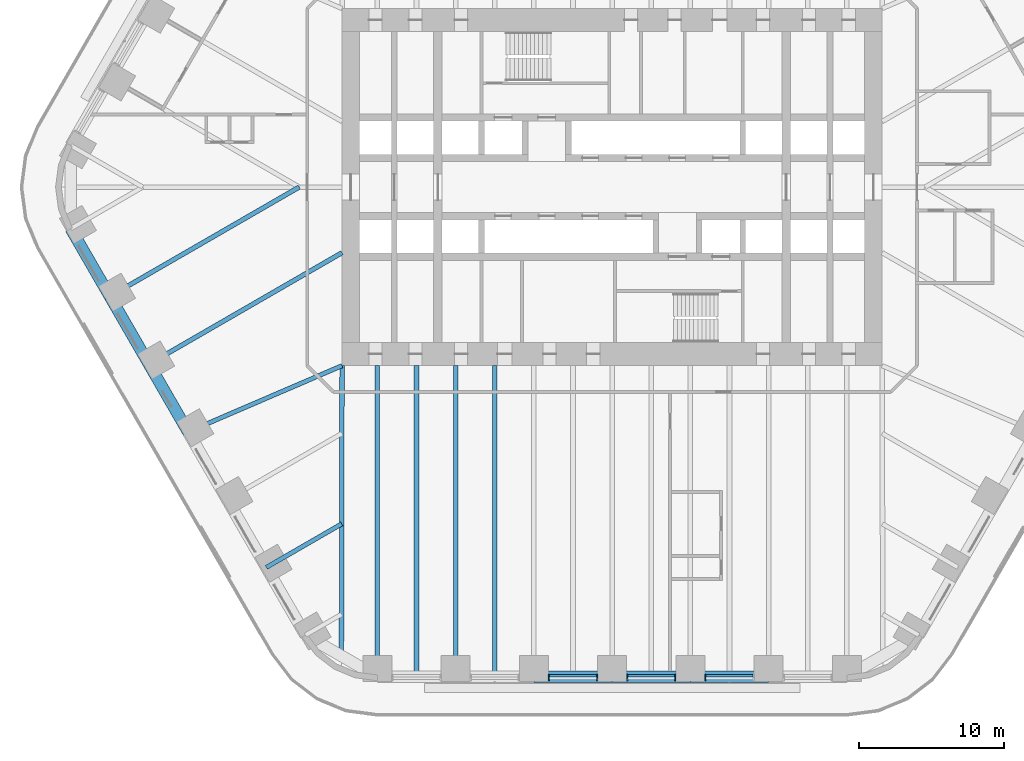
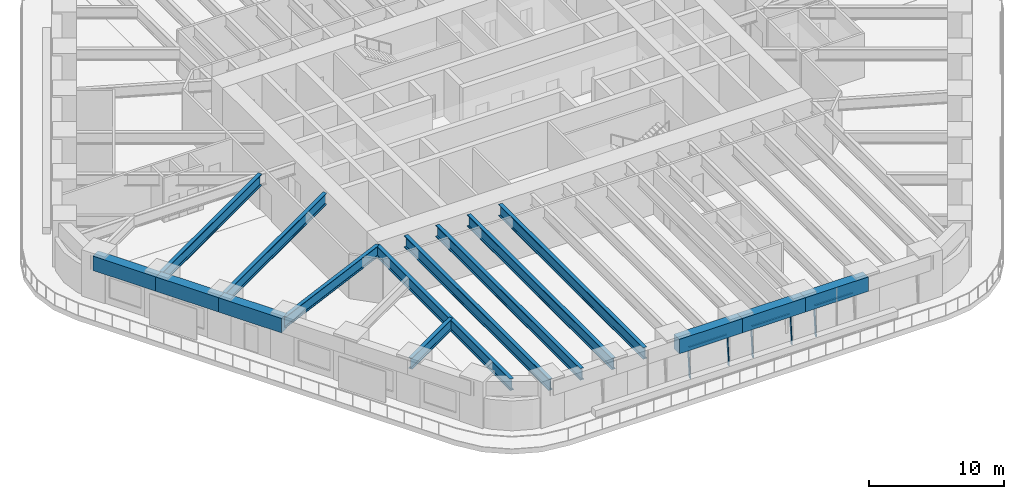
# One storey, part 3 of 23: 15 beams, 8 members, 3 elements without a shape of their own.
"""IFC4 building model written with IfcOpenShell, lengths in metres."""

import ifcopenshell
import ifcopenshell.guid

model = None  # the IFC model being written
_history = None  # IfcOwnerHistory: only IFC2X3 demands one
_inside = {}  # id of a spatial element -> (the spatial element, [elements in it])
_under = {}  # id of a project, library or spatial element -> (it, [spatial elements below it])
_declared = {}  # id of a project -> (the project, [libraries it declares])
_typed = {}  # id of a type object -> (the type object, [elements of that type])
_made_of = {}  # id of a material, layer set ... -> (it, [elements and type objects made of it])


def new_model(schema):
    """Start an empty IFC model of exactly this schema.

    Asked for "IFC4X3", IfcOpenShell would pick the latest addendum, in which some entities
    have other attributes; the version numbers below select the first issue.
    IFC2X3 requires an IfcOwnerHistory on every rooted entity: one is made here for all.
    """
    global model, _history
    if schema == "IFC4X3":
        model = ifcopenshell.file(schema_version=(4, 3, 0, 0))
    else:
        model = ifcopenshell.file(schema=schema)
    _inside.clear()
    _under.clear()
    _declared.clear()
    _typed.clear()
    _made_of.clear()
    _history = None
    if model.schema == "IFC2X3":
        org = make("IfcOrganization", Name="unknown")
        user = make(
            "IfcPersonAndOrganization",
            ThePerson=make("IfcPerson", FamilyName="unknown"),
            TheOrganization=org,
        )
        app = make(
            "IfcApplication",
            ApplicationDeveloper=org,
            Version="unknown",
            ApplicationFullName="unknown",
            ApplicationIdentifier="unknown",
        )
        _history = make(
            "IfcOwnerHistory",
            OwningUser=user,
            OwningApplication=app,
            ChangeAction="ADDED",
            CreationDate=0,
        )
    return model


def make(cls, **values):
    """One entity of the class cls with the attributes given. An attribute that is None is left unset."""
    return model.create_entity(
        cls, **{name: value for name, value in values.items() if value is not None}
    )


def rooted(cls, **values):
    """An entity with a GlobalId (a new one), such as an element, a storey or a relation."""
    return make(cls, GlobalId=ifcopenshell.guid.new(), OwnerHistory=_history, **values)


def si_unit(unit_type, name, prefix=None):
    """IfcSIUnit, for example si_unit("LENGTHUNIT", "METRE", prefix="MILLI")."""
    return make("IfcSIUnit", UnitType=unit_type, Prefix=prefix, Name=name)


def assignment(units):
    """IfcUnitAssignment: the units of a project."""
    return None if units is None else make("IfcUnitAssignment", Units=units)


def point(xyz):
    """IfcCartesianPoint."""
    return None if xyz is None else make("IfcCartesianPoint", Coordinates=xyz)


def direction(xyz):
    """IfcDirection."""
    return None if xyz is None else make("IfcDirection", DirectionRatios=xyz)


def frame(location, z_axis=None, x_axis=None):
    """IfcAxis2Placement3D, a coordinate frame: its origin and axes. An axis left out is left unset."""
    return make(
        "IfcAxis2Placement3D",
        Location=point(location),
        Axis=direction(z_axis),
        RefDirection=direction(x_axis),
    )


def frame_2d(location, x_axis=None):
    """IfcAxis2Placement2D, a coordinate frame in the plane: its origin and x axis."""
    return make(
        "IfcAxis2Placement2D", Location=point(location), RefDirection=direction(x_axis)
    )


def origin():
    """The frame at (0, 0, 0) with its axes left unset."""
    return frame((0.0, 0.0, 0.0))


def origin_2d():
    """The frame at (0, 0) in the plane with its x axis left unset."""
    return frame_2d((0.0, 0.0))


def place(relative_to, where):
    """IfcLocalPlacement: puts the frame where relative to a parent placement (None: the world)."""
    return make(
        "IfcLocalPlacement", PlacementRelTo=relative_to, RelativePlacement=where
    )


def context(
    kind, dimensions, precision=None, world=None, true_north=None, identifier=None
):
    """IfcGeometricRepresentationContext, for example the 3D "Model" context."""
    return make(
        "IfcGeometricRepresentationContext",
        ContextIdentifier=identifier,
        ContextType=kind,
        CoordinateSpaceDimension=dimensions,
        Precision=precision,
        WorldCoordinateSystem=world,
        TrueNorth=true_north,
    )


def subcontext(parent, identifier, kind, view, scale=None):
    """IfcGeometricRepresentationSubContext, for example "Body" below "Model"."""
    return make(
        "IfcGeometricRepresentationSubContext",
        ContextIdentifier=identifier,
        ContextType=kind,
        ParentContext=parent,
        TargetScale=scale,
        TargetView=view,
    )


def project(units=None, contexts=None):
    """IfcProject with its units and contexts."""
    return rooted(
        "IfcProject",
        Name="project",
        RepresentationContexts=contexts,
        UnitsInContext=assignment(units),
    )


def spatial(cls, under=None, at=None, **own):
    """A site, building, storey or space (cls), placed at a placement, below another one or the project."""
    s = rooted(cls, ObjectPlacement=at, **own)
    if under is not None:
        _under.setdefault(under.id(), (under, []))[1].append(s)
    return s


def profile(cls, at=None, kind="AREA", **sizes):
    """A parametric profile (cls). Its sizes go by their IFC names, for example OverallWidth=200.0."""
    return make(cls, ProfileType=kind, Position=at, **sizes)


def rectangle(**sizes):
    """IfcRectangleProfileDef."""
    return profile("IfcRectangleProfileDef", **sizes)


def i_section(**sizes):
    """IfcIShapeProfileDef."""
    return profile("IfcIShapeProfileDef", **sizes)


def extrude(swept, where, along, depth):
    """IfcExtrudedAreaSolid: the profile swept, set in the frame where, extruded along a direction by depth."""
    return make(
        "IfcExtrudedAreaSolid",
        SweptArea=swept,
        Position=where,
        ExtrudedDirection=direction(along),
        Depth=depth,
    )


def shape(context_of_items, identifier, shape_type, items):
    """IfcShapeRepresentation: the items that make up one representation, for example the "Body"."""
    return make(
        "IfcShapeRepresentation",
        ContextOfItems=context_of_items,
        RepresentationIdentifier=identifier,
        RepresentationType=shape_type,
        Items=items,
    )


def material(Name=None, Category=None):
    """IfcMaterial."""
    return make("IfcMaterial", Name=Name, Category=Category)


def material_profile(
    of_material, cross_section, Name=None, Category=None, Priority=None
):
    """IfcMaterialProfile: a cross section and its material."""
    return make(
        "IfcMaterialProfile",
        Name=Name,
        Material=of_material,
        Profile=cross_section,
        Priority=Priority,
        Category=Category,
    )


def profile_set(profiles, Name=None, composite=None):
    """IfcMaterialProfileSet."""
    return make(
        "IfcMaterialProfileSet",
        Name=Name,
        MaterialProfiles=profiles,
        CompositeProfile=composite,
    )


def made_of(thing, what):
    """Note that an element or type object is made of a material, layer set ...; save() writes the relation."""
    if what is not None:
        _made_of.setdefault(what.id(), (what, []))[1].append(thing)
    return thing


def type_object(cls, material=None, **own):
    """A type object (cls), such as IfcWallType, which elements share."""
    return made_of(rooted(cls, **own), material)


def element(
    cls,
    number,
    at=None,
    inside=None,
    cuts=None,
    type_object=None,
    material=None,
    context=None,
    identifier="Body",
    shape_type=None,
    held_by="IfcProductDefinitionShape",
    body=None,
    shapes=None,
    **own,
):
    """One element of the class cls, such as IfcWall. Its Tag is "e" and its number.

    at: its placement. inside: the storey or other place that contains it. cuts: it is an
    opening in that element (IfcRelVoidsElement). A single representation is given by context,
    identifier, shape_type and body (its items); several are given by shapes. held_by: the class
    of the entity that holds the representations. save() writes the other relations.
    """
    e = rooted(cls, Tag="e%d" % number, ObjectPlacement=at, **own)
    if body is not None:
        shapes = [shape(context, identifier, shape_type, body)]
    if shapes is not None:
        e.Representation = make(held_by, Representations=shapes)
    if inside is not None:
        _inside.setdefault(inside.id(), (inside, []))[1].append(e)
    if cuts is not None:
        rooted(
            "IfcRelVoidsElement", RelatingBuildingElement=cuts, RelatedOpeningElement=e
        )
    if type_object is not None:
        _typed.setdefault(type_object.id(), (type_object, []))[1].append(e)
    return made_of(e, material)


def aggregate(whole, parts):
    """IfcRelAggregates: a whole, such as a stair, and the parts it consists of."""
    return rooted("IfcRelAggregates", RelatingObject=whole, RelatedObjects=parts)


def save(model, path):
    """Write the relations noted so far, then the file.

    IfcRelAggregates (storeys below a building ...), IfcRelContainedInSpatialStructure (elements
    in a storey), IfcRelDefinesByType, IfcRelAssociatesMaterial and IfcRelDeclares: one each for
    every whole, place, type object, material and project.
    """
    for whole, parts in _under.values():
        aggregate(whole, parts)
    for where, things in _inside.values():
        rooted(
            "IfcRelContainedInSpatialStructure",
            RelatedElements=things,
            RelatingStructure=where,
        )
    for kind, things in _typed.values():
        rooted("IfcRelDefinesByType", RelatedObjects=things, RelatingType=kind)
    for what, things in _made_of.values():
        rooted("IfcRelAssociatesMaterial", RelatedObjects=things, RelatingMaterial=what)
    for by, libraries in _declared.values():
        rooted("IfcRelDeclares", RelatingContext=by, RelatedDefinitions=libraries)
    model.write(path)


model = new_model("IFC4")

# Units and contexts
model_context = context("Model", 3, precision=1e-05, world=origin(), true_north=direction((0.0, 1.0)))
body_context = subcontext(model_context, "Body", "Model", "MODEL_VIEW")
ifc_project = project(units=[si_unit("LENGTHUNIT", "METRE"), si_unit("AREAUNIT", "SQUARE_METRE"), si_unit("VOLUMEUNIT", "CUBIC_METRE"), si_unit("PLANEANGLEUNIT", "RADIAN"), si_unit("MASSUNIT", "GRAM", prefix="KILO")], contexts=[model_context])

# Site, building, storey
site_placement = place(None, origin())
site = spatial("IfcSite", under=ifc_project, at=site_placement, CompositionType="ELEMENT")
building_placement = place(site_placement, origin())
building = spatial("IfcBuilding", under=site, at=building_placement, Name="Tarfa Lantern Tower", CompositionType="ELEMENT")
storey_placement = place(building_placement, frame((0.0, 0.0, 44.5)))
storey = spatial("IfcBuildingStorey", under=building, at=storey_placement, Name="L09", CompositionType="ELEMENT", Elevation=44.5)

# Curtain wall, members
ifc_material_1 = material(Name="Aluminium framed curtain wall", Category="aluminium")
curtain_wall_type = type_object("IfcCurtainWallType", Name="CW1 CANTED GLAZING LOW ZONE 2700", PredefinedType="USERDEFINED", material=ifc_material_1)
curtain_wall_1_placement = place(storey_placement, origin())
curtain_wall_1 = element("IfcCurtainWall", 1, at=curtain_wall_1_placement, inside=storey, type_object=curtain_wall_type, Name="CW1 S L09", ObjectType="CURTAIN WALL", PredefinedType="USERDEFINED")
ifc_material_2 = material(Name="Aluminium mullion", Category="aluminium")
ifc_material_profile_1 = material_profile(ifc_material_2, rectangle(XDim=0.06494140625, YDim=0.199951171875, at=origin_2d()), Name="AL MULLION 65x200")
ifc_profile_set_1 = profile_set([ifc_material_profile_1], Name="Aluminium mullion")
member_type_1 = type_object("IfcMemberType", Name="CWM1 MULLION 65x200", PredefinedType="MULLION", material=ifc_profile_set_1)
member_1_placement = place(storey_placement, frame((-4.356201171875, -33.89990234375, 0.0), z_axis=(0.0, 0.092199863775, 0.995740520979), x_axis=(-1.0, 0.0, 0.0)))
member_1 = element("IfcMember", 2, at=member_1_placement, type_object=member_type_1, Name="CW1 mullion 1", PredefinedType="MULLION", context=body_context, shape_type="SweptSolid", body=[
    extrude(rectangle(XDim=0.06494140625, YDim=0.199951171875, at=origin_2d()), origin(), (0.0, 0.0, 1.0), 2.71142578125),
])
member_2_placement = place(storey_placement, frame((-1.032470703125, -33.89990234375, 0.0), z_axis=(0.0, 0.092199863775, 0.995740520979), x_axis=(-1.0, 0.0, 0.0)))
member_2 = element("IfcMember", 3, at=member_2_placement, type_object=member_type_1, Name="CW1 mullion 2", PredefinedType="MULLION", context=body_context, shape_type="SweptSolid", body=[
    extrude(rectangle(XDim=0.06494140625, YDim=0.199951171875, at=origin_2d()), origin(), (0.0, 0.0, 1.0), 2.71142578125),
])

curtain_wall_2_placement = place(storey_placement, origin())
curtain_wall_2 = element("IfcCurtainWall", 4, at=curtain_wall_2_placement, inside=storey, type_object=curtain_wall_type, Name="CW1 S L09", ObjectType="CURTAIN WALL", PredefinedType="USERDEFINED")
member_3_placement = place(storey_placement, frame((1.032470703125, -33.89990234375, 0.0), z_axis=(0.0, 0.092199863775, 0.995740520979), x_axis=(-1.0, 0.0, 0.0)))
member_3 = element("IfcMember", 5, at=member_3_placement, type_object=member_type_1, Name="CW1 mullion 1", PredefinedType="MULLION", context=body_context, shape_type="SweptSolid", body=[
    extrude(rectangle(XDim=0.06494140625, YDim=0.199951171875, at=origin_2d()), origin(), (0.0, 0.0, 1.0), 2.71142578125),
])
member_4_placement = place(storey_placement, frame((4.356201171875, -33.89990234375, 0.0), z_axis=(0.0, 0.092199863775, 0.995740520979), x_axis=(-1.0, 0.0, 0.0)))
member_4 = element("IfcMember", 6, at=member_4_placement, type_object=member_type_1, Name="CW1 mullion 2", PredefinedType="MULLION", context=body_context, shape_type="SweptSolid", body=[
    extrude(rectangle(XDim=0.06494140625, YDim=0.199951171875, at=origin_2d()), origin(), (0.0, 0.0, 1.0), 2.71142578125),
])

# Curtain wall, member
curtain_wall_3_placement = place(storey_placement, origin())
curtain_wall_3 = element("IfcCurtainWall", 7, at=curtain_wall_3_placement, inside=storey, type_object=curtain_wall_type, Name="CW1 S L09", ObjectType="CURTAIN WALL", PredefinedType="USERDEFINED")
member_5_placement = place(storey_placement, frame((6.421142578125, -33.89990234375, 0.0), z_axis=(0.0, 0.092199863775, 0.995740520979), x_axis=(-1.0, 0.0, 0.0)))
member_5 = element("IfcMember", 8, at=member_5_placement, type_object=member_type_1, Name="CW1 mullion 1", PredefinedType="MULLION", context=body_context, shape_type="SweptSolid", body=[
    extrude(rectangle(XDim=0.06494140625, YDim=0.199951171875, at=origin_2d()), origin(), (0.0, 0.0, 1.0), 2.71142578125),
])

# Member
ifc_material_3 = material(Name="Aluminium transom", Category="aluminium")
ifc_material_profile_2 = material_profile(ifc_material_3, rectangle(XDim=0.14990234375, YDim=0.06494140625, at=origin_2d()), Name="AL TRANSOM 150x65")
ifc_profile_set_2 = profile_set([ifc_material_profile_2], Name="Aluminium transom")
member_type_2 = type_object("IfcMemberType", Name="CWT1 TRANSOM 150x65", PredefinedType="USERDEFINED", material=ifc_profile_set_2)
member_6_placement = place(storey_placement, frame((-4.323486328125, -33.653076171875, 2.66748046875), z_axis=(1.0, 0.0, 0.0), x_axis=(0.0, 1.0, 0.0)))
member_6 = element("IfcMember", 9, at=member_6_placement, type_object=member_type_2, Name="CW1 transom 1.2", ObjectType="TRANSOM", PredefinedType="USERDEFINED", context=body_context, shape_type="SweptSolid", body=[
    extrude(rectangle(XDim=0.14990234375, YDim=0.06494140625, at=origin_2d()), origin(), (0.0, 0.0, 1.0), 3.258544921875),
])

aggregate(curtain_wall_1, [member_1, member_2, member_6])

member_7_placement = place(storey_placement, frame((1.06494140625, -33.653076171875, 2.66748046875), z_axis=(1.0, 0.0, 0.0), x_axis=(0.0, 1.0, 0.0)))
member_7 = element("IfcMember", 10, at=member_7_placement, type_object=member_type_2, Name="CW1 transom 1.2", ObjectType="TRANSOM", PredefinedType="USERDEFINED", context=body_context, shape_type="SweptSolid", body=[
    extrude(rectangle(XDim=0.14990234375, YDim=0.06494140625, at=origin_2d()), origin(), (0.0, 0.0, 1.0), 3.258544921875),
])

aggregate(curtain_wall_2, [member_3, member_4, member_7])

member_8_placement = place(storey_placement, frame((6.45361328125, -33.653076171875, 2.66748046875), z_axis=(1.0, 0.0, 0.0), x_axis=(0.0, 1.0, 0.0)))
member_8 = element("IfcMember", 11, at=member_8_placement, type_object=member_type_2, Name="CW1 transom 1.2", ObjectType="TRANSOM", PredefinedType="USERDEFINED", context=body_context, shape_type="SweptSolid", body=[
    extrude(rectangle(XDim=0.14990234375, YDim=0.06494140625, at=origin_2d()), origin(), (0.0, 0.0, 1.0), 3.258544921875),
])

aggregate(curtain_wall_3, [member_5, member_8])

# Beams
ifc_material_4 = material(Name="Concrete C80/95", Category="concrete")
ifc_material_profile_3 = material_profile(ifc_material_4, rectangle(XDim=0.800048828125, YDim=1.300048828125, at=origin_2d()), Name="RC 800x1300")
ifc_profile_set_3 = profile_set([ifc_material_profile_3], Name="Concrete C80/95")
beam_type_1 = type_object("IfcBeamType", Name="EB1 RC 800x1300", PredefinedType="SPANDREL", material=ifc_profile_set_3)
beam_1_placement = place(storey_placement, frame((-37.285400390625, -2.860107421875, 3.35009765625), z_axis=(0.500017906299, -0.866015065331, 0.0), x_axis=(0.866015065331, 0.500017906299, 0.0)))
element("IfcBeam", 12, at=beam_1_placement, inside=storey, type_object=beam_type_1, Name="Edge beam SW0", PredefinedType="SPANDREL", context=body_context, shape_type="SweptSolid", body=[
    extrude(rectangle(XDim=0.800048828125, YDim=1.300048828125, at=origin_2d()), origin(), (0.0, 0.0, 1.0), 5.388427734375),
])
for number, where, z_axis, x_axis, name in (
    (13, (-34.591064453125, -7.526611328125, 3.35009765625), (0.499998287579, -0.866026392449, 0.0), (0.866026392449, 0.499998287579, 0.0), "Edge beam SW1"),
    (14, (-31.896728515625, -12.193359375, 3.35009765625), (0.499998287579, -0.866026392449, 0.0), (0.866026392449, 0.499998287579, 0.0), "Edge beam SW2"),
    (15, (-5.388671875, -33.719970703125, 3.35009765625), (1.0, 0.0, 0.0), (0.0, 1.0, 0.0), "Edge beam S2"),
    (16, (0.0, -33.719970703125, 3.35009765625), (1.0, 0.0, 0.0), (0.0, 1.0, 0.0), "Edge beam S3"),
):
    element("IfcBeam", number, at=place(storey_placement, frame(where, z_axis=z_axis, x_axis=x_axis)), inside=storey, type_object=beam_type_1, Name=name, PredefinedType="SPANDREL", context=body_context, shape_type="SweptSolid", body=[
        extrude(rectangle(XDim=0.800048828125, YDim=1.300048828125, at=origin_2d()), origin(), (0.0, 0.0, 1.0), 5.388671875),
    ])
beam_2_placement = place(storey_placement, frame((5.388671875, -33.719970703125, 3.35009765625), z_axis=(1.0, 0.0, 0.0), x_axis=(0.0, 1.0, 0.0)))
element("IfcBeam", 17, at=beam_2_placement, inside=storey, type_object=beam_type_1, Name="Edge beam S4", PredefinedType="SPANDREL", context=body_context, shape_type="SweptSolid", body=[
    extrude(rectangle(XDim=0.800048828125, YDim=1.300048828125, at=origin_2d()), origin(), (0.0, 0.0, 1.0), 5.388427734375),
])
ifc_material_5 = material(Name="Steel S460M", Category="steel")
ifc_material_profile_4 = material_profile(ifc_material_5, i_section(OverallWidth=0.302001953125, OverallDepth=1.008056640625, WebThickness=0.02099609375, FlangeThickness=0.0400390625, FilletRadius=0.030029296875, at=origin_2d()), Name="UB1016x305x349")
ifc_profile_set_4 = profile_set([ifc_material_profile_4], Name="Steel S460M")
beam_type_2 = type_object("IfcBeamType", Name="UB1016x305x349", PredefinedType="BEAM", material=ifc_profile_set_4)
beam_3_placement = place(storey_placement, frame((-29.202392578125, -16.860107421875, 3.495849609375), z_axis=(0.918635483867, 0.395106122175, 0.0), x_axis=(-0.395106122175, 0.918635483867, 0.0)))
element("IfcBeam", 18, at=beam_3_placement, inside=storey, type_object=beam_type_2, Name="Floor beam SW3", PredefinedType="BEAM", context=body_context, shape_type="SweptSolid", body=[
    extrude(i_section(OverallWidth=0.302001953125, OverallDepth=1.008056640625, WebThickness=0.02099609375, FlangeThickness=0.0400390625, FilletRadius=0.030029296875, at=origin_2d()), origin(), (0.0, 0.0, 1.0), 11.541259765625),
])
beam_4_placement = place(storey_placement, frame((-23.813720703125, -26.193359375, 3.495849609375), z_axis=(0.866015997389, 0.500016292001, 0.0), x_axis=(-0.500016292001, 0.866015997389, 0.0)))
element("IfcBeam", 19, at=beam_4_placement, inside=storey, type_object=beam_type_2, Name="Floor beam SW5", PredefinedType="BEAM", context=body_context, shape_type="SweptSolid", body=[
    extrude(i_section(OverallWidth=0.302001953125, OverallDepth=1.008056640625, WebThickness=0.02099609375, FlangeThickness=0.0400390625, FilletRadius=0.030029296875, at=origin_2d()), origin(), (0.0, 0.0, 1.0), 5.993408203125),
])
ifc_material_profile_5 = material_profile(ifc_material_5, i_section(OverallWidth=0.314208984375, OverallDepth=1.055908203125, WebThickness=0.035888671875, FlangeThickness=0.06396484375, FilletRadius=0.030029296875, at=origin_2d()), Name="UB1016x305x584")
ifc_profile_set_5 = profile_set([ifc_material_profile_5], Name="Steel S460M")
beam_type_3 = type_object("IfcBeamType", Name="UB1016x305x584", PredefinedType="BEAM", material=ifc_profile_set_5)
beam_5_placement = place(storey_placement, frame((-18.60009765625, -12.300048828125, 3.471923828125), z_axis=(-0.00212508222, -0.99999774201, 0.0), x_axis=(0.99999774201, -0.00212508222, 0.0)))
element("IfcBeam", 20, at=beam_5_placement, inside=storey, type_object=beam_type_3, Name="Hip girder SW", PredefinedType="BEAM", context=body_context, shape_type="SweptSolid", body=[
    extrude(i_section(OverallWidth=0.314208984375, OverallDepth=1.055908203125, WebThickness=0.035888671875, FlangeThickness=0.06396484375, FilletRadius=0.030029296875, at=origin_2d()), origin(), (0.0, 0.0, 1.0), 19.989990234375),
])
beam_6_placement = place(storey_placement, frame((-34.591064453125, -7.526611328125, 3.471923828125), z_axis=(0.86602785945, 0.499995746638, 0.0), x_axis=(-0.499995746638, 0.86602785945, 0.0)))
element("IfcBeam", 21, at=beam_6_placement, inside=storey, type_object=beam_type_3, Name="Floor beam SW1", PredefinedType="BEAM", context=body_context, shape_type="SweptSolid", body=[
    extrude(i_section(OverallWidth=0.314208984375, OverallDepth=1.055908203125, WebThickness=0.035888671875, FlangeThickness=0.06396484375, FilletRadius=0.030029296875, at=origin_2d()), origin(), (0.0, 0.0, 1.0), 15.053466796875),
])
beam_7_placement = place(storey_placement, frame((-31.896728515625, -12.193359375, 3.471923828125), z_axis=(0.866026971665, 0.499997284341, 0.0), x_axis=(-0.499997284341, 0.866026971665, 0.0)))
element("IfcBeam", 22, at=beam_7_placement, inside=storey, type_object=beam_type_3, Name="Floor beam SW2", PredefinedType="BEAM", context=body_context, shape_type="SweptSolid", body=[
    extrude(i_section(OverallWidth=0.314208984375, OverallDepth=1.055908203125, WebThickness=0.035888671875, FlangeThickness=0.06396484375, FilletRadius=0.030029296875, at=origin_2d()), origin(), (0.0, 0.0, 1.0), 15.353515625),
])
for number, where, z_axis, x_axis, name in (
    (23, (-16.165771484375, -33.719970703125, 3.471923828125), (0.0, 1.0, 0.0), (-1.0, 0.0, 0.0), "Floor beam S0"),
    (24, (-10.777099609375, -33.719970703125, 3.471923828125), (0.0, 1.0, 0.0), (-1.0, 0.0, 0.0), "Floor beam S1"),
    (25, (-13.471435546875, -33.719970703125, 3.471923828125), (0.0, 1.0, 0.0), (-1.0, 0.0, 0.0), "Floor beam S0M"),
    (26, (-8.0830078125, -33.719970703125, 3.471923828125), (0.0, 1.0, 0.0), (-1.0, 0.0, 0.0), "Floor beam S1M"),
):
    element("IfcBeam", number, at=place(storey_placement, frame(where, z_axis=z_axis, x_axis=x_axis)), inside=storey, type_object=beam_type_3, Name=name, PredefinedType="BEAM", context=body_context, shape_type="SweptSolid", body=[
        extrude(i_section(OverallWidth=0.314208984375, OverallDepth=1.055908203125, WebThickness=0.035888671875, FlangeThickness=0.06396484375, FilletRadius=0.030029296875, at=origin_2d()), origin(), (0.0, 0.0, 1.0), 21.419921875),
    ])

save(model, "model.ifc")
